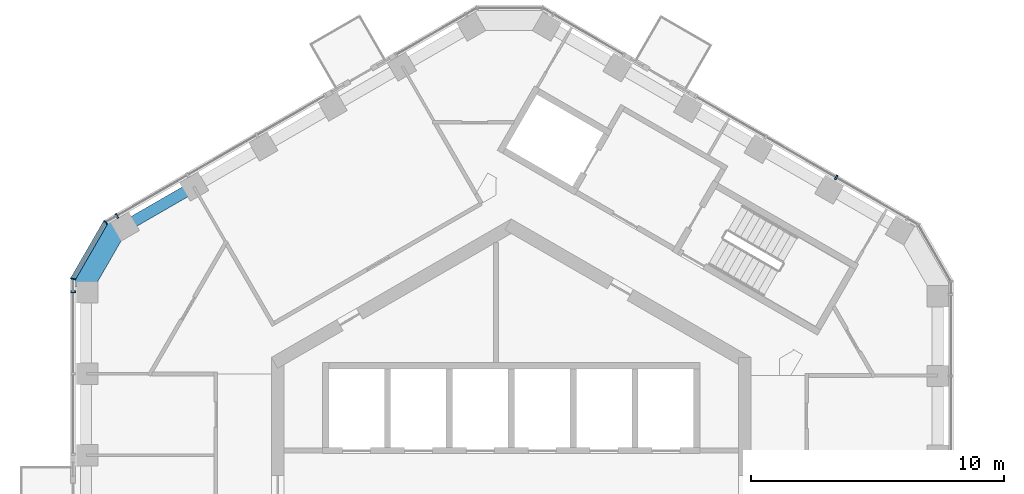
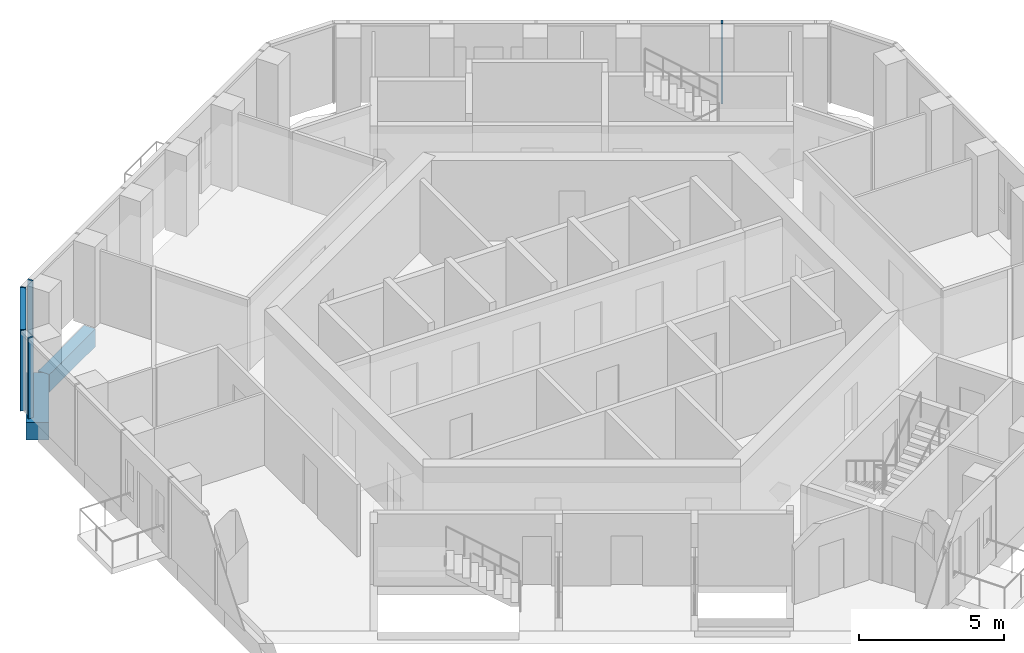
# One storey, part 4 of 19: 6 members, 2 beams, 4 elements without a shape of their own.
"""IFC4 building model written with IfcOpenShell, lengths in metres."""

from ifc_helpers import new_model, si_unit, direction, frame, origin, origin_2d, place, context, subcontext, project, spatial, rectangle, extrude, material, layer, layer_set, material_profile, profile_set, type_object, element, aggregate, save


model = new_model("IFC4")

# Units and contexts
model_context = context("Model", 3, precision=1e-05, world=origin(), true_north=direction((0.0, 1.0)))
body_context = subcontext(model_context, "Body", "Model", "MODEL_VIEW")
ifc_project = project(units=[si_unit("LENGTHUNIT", "METRE"), si_unit("AREAUNIT", "SQUARE_METRE"), si_unit("VOLUMEUNIT", "CUBIC_METRE"), si_unit("PLANEANGLEUNIT", "RADIAN"), si_unit("MASSUNIT", "GRAM", prefix="KILO")], contexts=[model_context])

# Site, building, storey
site_placement = place(None, origin())
site = spatial("IfcSite", under=ifc_project, at=site_placement, CompositionType="ELEMENT")
building_placement = place(site_placement, origin())
building = spatial("IfcBuilding", under=site, at=building_placement, Name="Ayvan Gate Tower", CompositionType="ELEMENT")
storey_placement = place(building_placement, frame((0.0, 0.0, 222.300048828125)))
storey = spatial("IfcBuildingStorey", under=building, at=storey_placement, Name="L59", CompositionType="ELEMENT", Elevation=222.300048828125)

# Beams
ifc_material_1 = material(Name="Concrete C40/50", Category="concrete")
ifc_material_profile_1 = material_profile(ifc_material_1, rectangle(XDim=0.800048828125, YDim=0.75, at=origin_2d()), Name="RC 800x750")
ifc_profile_set_1 = profile_set([ifc_material_profile_1], Name="Concrete C40/50")
beam_type_1 = type_object("IfcBeamType", Name="Corner spandrel beam RC 800x750 C40/50", PredefinedType="BEAM", material=ifc_profile_set_1)
beam_1_placement = place(storey_placement, frame((-15.53125, 10.7529296875, -0.72509765625), z_axis=(-0.499990139034, -0.866031096941, 0.0), x_axis=(0.866031096941, -0.499990139034, 0.0)))
element("IfcBeam", 1, at=beam_1_placement, inside=storey, type_object=beam_type_1, Name="SB-L59-18", PredefinedType="BEAM", context=body_context, shape_type="SweptSolid", body=[
    extrude(rectangle(XDim=0.800048828125, YDim=0.75, at=origin_2d()), origin(), (0.0, 0.0, 1.0), 3.0),
])
ifc_material_profile_2 = material_profile(ifc_material_1, rectangle(XDim=0.449951171875, YDim=0.75, at=origin_2d()), Name="RC 450x750")
ifc_profile_set_2 = profile_set([ifc_material_profile_2], Name="Concrete C40/50")
beam_type_2 = type_object("IfcBeamType", Name="Spandrel beam RC 450x750 C40/50", PredefinedType="BEAM", material=ifc_profile_set_2)
beam_2_placement = place(storey_placement, frame((-12.58203125, 12.23583984375, -0.72509765625), z_axis=(-0.86602732995, -0.499996663769, 0.0), x_axis=(0.499996663769, -0.86602732995, 0.0)))
element("IfcBeam", 2, at=beam_2_placement, inside=storey, type_object=beam_type_2, Name="SB-L59-17", PredefinedType="BEAM", context=body_context, shape_type="SweptSolid", body=[
    extrude(rectangle(XDim=0.449951171875, YDim=0.75, at=origin_2d()), origin(), (0.0, 0.0, 1.0), 3.185546875),
])

# Curtain wall, member
ifc_material_2 = material(Name="Bronze anodised aluminium", Category="aluminium")
ifc_layer_1 = layer(ifc_material_2, 0.199951171875)
ifc_layer_set_1 = layer_set([ifc_layer_1], Name="Bronze anodised aluminium")
curtain_wall_type_1 = type_object("IfcCurtainWallType", Name="Stick curtain wall CW-2", PredefinedType="NOTDEFINED", material=ifc_layer_set_1)
curtain_wall_1_placement = place(storey_placement, origin())
curtain_wall_1 = element("IfcCurtainWall", 3, at=curtain_wall_1_placement, inside=storey, type_object=curtain_wall_type_1, Name="Stick curtain wall CW-2 L59", PredefinedType="NOTDEFINED")
ifc_material_profile_3 = material_profile(ifc_material_2, rectangle(XDim=0.199951171875, YDim=0.070068359375, at=origin_2d()), Name="Stick curtain wall CW-2 mullion 200 x 70")
ifc_profile_set_3 = profile_set([ifc_material_profile_3], Name="Bronze anodised aluminium")
member_type_1 = type_object("IfcMemberType", Name="Stick curtain wall CW-2 mullion 200 x 70", PredefinedType="MULLION", material=ifc_profile_set_3)
member_1_placement = place(storey_placement, frame((-15.6201171875, 11.087890625, 0.0), z_axis=(0.0, 0.0, 1.0), x_axis=(-0.5, 0.866025403784, 0.0)))
member_1 = element("IfcMember", 4, at=member_1_placement, type_object=member_type_1, Name="CW-2 mullion 4", PredefinedType="MULLION", context=body_context, shape_type="SweptSolid", body=[
    extrude(rectangle(XDim=0.199951171875, YDim=0.070068359375, at=origin_2d()), origin(), (0.0, 0.0, 1.0), 3.39990234375),
])
aggregate(curtain_wall_1, [member_1])

curtain_wall_2_placement = place(storey_placement, origin())
curtain_wall_2 = element("IfcCurtainWall", 5, at=curtain_wall_2_placement, inside=storey, type_object=curtain_wall_type_1, Name="Stick curtain wall CW-2 L59", PredefinedType="NOTDEFINED")
member_2_placement = place(storey_placement, frame((-17.35302734375, 8.08642578125, 0.0), z_axis=(0.0, 0.0, 1.0), x_axis=(-1.0, 0.0, 0.0)))
member_2 = element("IfcMember", 6, at=member_2_placement, type_object=member_type_1, Name="CW-2 mullion 1", PredefinedType="MULLION", context=body_context, shape_type="SweptSolid", body=[
    extrude(rectangle(XDim=0.199951171875, YDim=0.070068359375, at=origin_2d()), origin(), (0.0, 0.0, 1.0), 3.39990234375),
])
aggregate(curtain_wall_2, [member_2])

curtain_wall_3_placement = place(storey_placement, origin())
curtain_wall_3 = element("IfcCurtainWall", 7, at=curtain_wall_3_placement, inside=storey, type_object=curtain_wall_type_1, Name="Stick curtain wall CW-2 L59", PredefinedType="NOTDEFINED")
member_3_placement = place(storey_placement, frame((12.869384765625, 12.607666015625, 0.0), z_axis=(0.0, 0.0, 1.0), x_axis=(0.5, 0.866025403784, 0.0)))
member_3 = element("IfcMember", 8, at=member_3_placement, type_object=member_type_1, Name="CW-2 mullion 2", PredefinedType="MULLION", context=body_context, shape_type="SweptSolid", body=[
    extrude(rectangle(XDim=0.199951171875, YDim=0.070068359375, at=origin_2d()), origin(), (0.0, 0.0, 1.0), 3.39990234375),
])
aggregate(curtain_wall_3, [member_3])

# Curtain wall, members
ifc_layer_2 = layer(ifc_material_2, 0.199951171875)
ifc_layer_set_2 = layer_set([ifc_layer_2], Name="Bronze anodised aluminium")
curtain_wall_type_2 = type_object("IfcCurtainWallType", Name="Stick curtain wall CW-6", PredefinedType="NOTDEFINED", material=ifc_layer_set_2)
curtain_wall_4_placement = place(storey_placement, origin())
curtain_wall_4 = element("IfcCurtainWall", 9, at=curtain_wall_4_placement, inside=storey, type_object=curtain_wall_type_2, Name="Stick curtain wall CW-6 L59", PredefinedType="NOTDEFINED")
ifc_material_profile_4 = material_profile(ifc_material_2, rectangle(XDim=0.199951171875, YDim=0.050048828125, at=origin_2d()), Name="Stick curtain wall CW-6 mullion 200 x 50")
ifc_profile_set_4 = profile_set([ifc_material_profile_4], Name="Bronze anodised aluminium")
member_type_2 = type_object("IfcMemberType", Name="Stick curtain wall CW-6 mullion 200 x 50", PredefinedType="MULLION", material=ifc_profile_set_4)
member_4_placement = place(storey_placement, frame((-16.061767578125, 10.8330078125, 0.0), z_axis=(0.0, 0.0, 1.0), x_axis=(-0.707106781187, 0.707106781187, 0.0)))
member_4 = element("IfcMember", 10, at=member_4_placement, type_object=member_type_2, Name="CW-6 mullion 2", PredefinedType="MULLION", context=body_context, shape_type="SweptSolid", body=[
    extrude(rectangle(XDim=0.199951171875, YDim=0.050048828125, at=origin_2d()), origin(), (0.0, 0.0, 1.0), 3.39990234375),
])
member_5_placement = place(storey_placement, frame((-17.35302734375, 8.596435546875, 0.0), z_axis=(0.0, 0.0, 1.0), x_axis=(-0.965925826289, 0.258819045103, 0.0)))
member_5 = element("IfcMember", 11, at=member_5_placement, type_object=member_type_2, Name="CW-6 mullion 3", PredefinedType="MULLION", context=body_context, shape_type="SweptSolid", body=[
    extrude(rectangle(XDim=0.199951171875, YDim=0.050048828125, at=origin_2d()), origin(), (0.0, 0.0, 1.0), 3.39990234375),
])
ifc_material_profile_5 = material_profile(ifc_material_2, rectangle(XDim=0.199951171875, YDim=0.1201171875, at=origin_2d()), Name="Stick curtain wall CW-6 transom 200 x 120")
ifc_profile_set_5 = profile_set([ifc_material_profile_5], Name="Bronze anodised aluminium")
member_type_3 = type_object("IfcMemberType", Name="Stick curtain wall CW-6 transom 200 x 120", PredefinedType="USERDEFINED", material=ifc_profile_set_5)
member_6_placement = place(storey_placement, frame((-16.074462890625, 10.811279296875, 3.33984375), z_axis=(-0.499933856714, -0.866063588261, 0.0), x_axis=(0.866063588261, -0.499933856714, 0.0)))
member_6 = element("IfcMember", 12, at=member_6_placement, type_object=member_type_3, Name="CW-6 transom 2", ObjectType="TRANSOM", PredefinedType="USERDEFINED", context=body_context, shape_type="SweptSolid", body=[
    extrude(rectangle(XDim=0.199951171875, YDim=0.1201171875, at=origin_2d()), origin(), (0.0, 0.0, 1.0), 2.532470703125),
])
aggregate(curtain_wall_4, [member_4, member_5, member_6])

save(model, "model.ifc")
